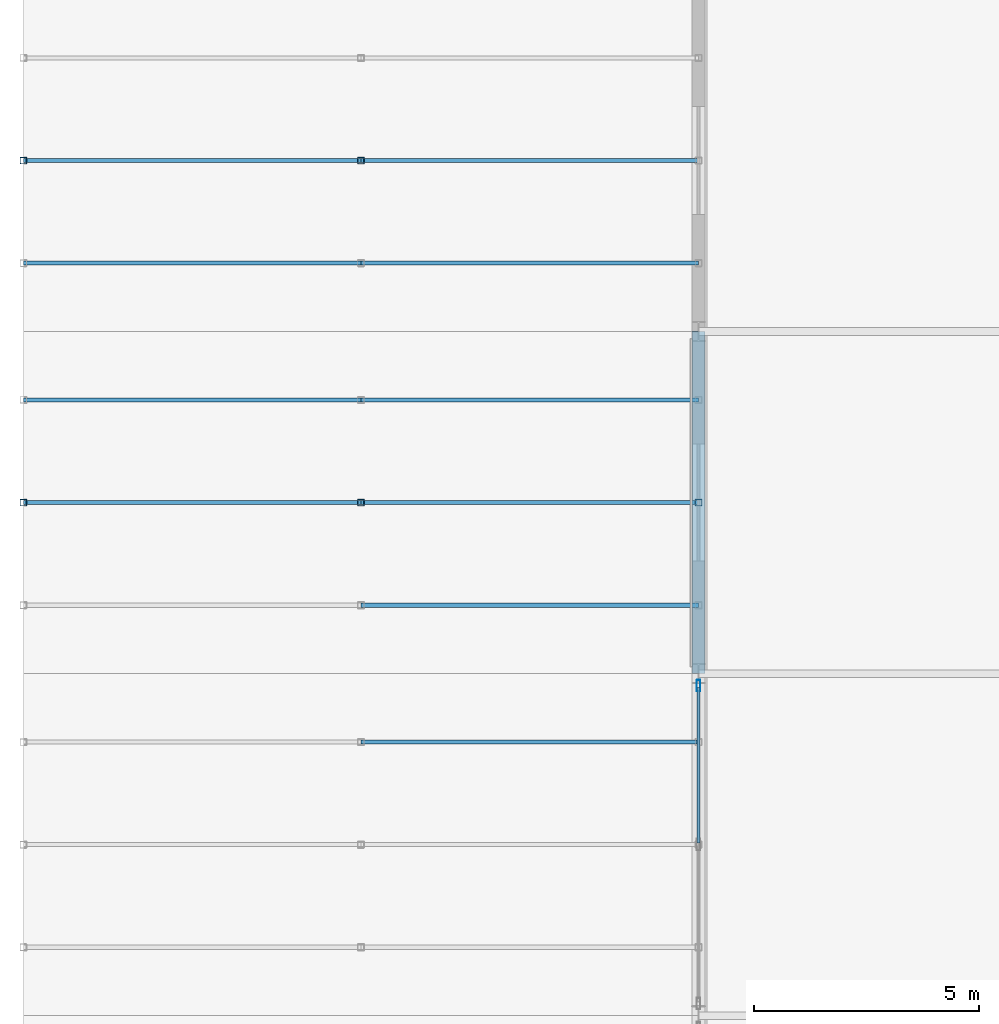
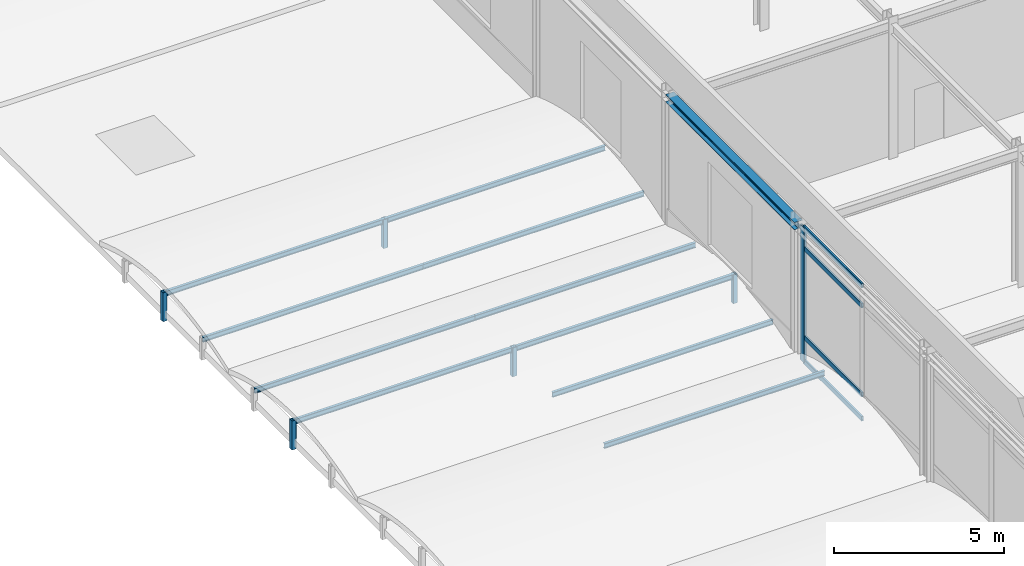
# One storey, part 22 of 113: 20 members, 1 beam, 1 element without a shape of its own.
"""IFC4 building model written with IfcOpenShell, lengths in metres."""

from ifc_helpers import new_model, si_unit, direction, frame, origin, origin_2d, place, context, subcontext, project, spatial, hollow_rectangle, i_section, extrude, material, layer, layer_set, material_profile, profile_set, type_object, element, aggregate, save


model = new_model("IFC4")

# Units and contexts
model_context = context("Model", 3, precision=1e-05, world=origin(), true_north=direction((0.0, 1.0)))
body_context = subcontext(model_context, "Body", "Model", "MODEL_VIEW")
ifc_project = project(units=[si_unit("LENGTHUNIT", "METRE"), si_unit("AREAUNIT", "SQUARE_METRE"), si_unit("VOLUMEUNIT", "CUBIC_METRE"), si_unit("PLANEANGLEUNIT", "RADIAN"), si_unit("MASSUNIT", "GRAM", prefix="KILO")], contexts=[model_context])

# Site, building, storey
site_placement = place(None, origin())
site = spatial("IfcSite", under=ifc_project, at=site_placement, CompositionType="ELEMENT")
building_placement = place(site_placement, origin())
building = spatial("IfcBuilding", under=site, at=building_placement, Name="Shalkamar Park Central Library", CompositionType="ELEMENT")
storey_placement = place(building_placement, frame((0.0, 0.0, 5.39990234375)))
storey = spatial("IfcBuildingStorey", under=building, at=storey_placement, Name="L02", CompositionType="ELEMENT", Elevation=5.39990234375)

# Curtain wall, members
ifc_material_1 = material(Name="Thermally broken aluminium and triple low-e curtain wall", Category="aluminium")
ifc_layer = layer(ifc_material_1, 0.2548828125)
ifc_layer_set = layer_set([ifc_layer], Name="UnitisedCurtainWall_36")
curtain_wall_type = type_object("IfcCurtainWallType", Name="Unitised Curtain Wall 36", PredefinedType="USERDEFINED", material=ifc_layer_set)
curtain_wall_placement = place(storey_placement, origin())
curtain_wall = element("IfcCurtainWall", 1, at=curtain_wall_placement, inside=storey, type_object=curtain_wall_type, Name="Unitised Curtain Wall CW-L02-041", ObjectType="UNITISED CURTAIN WALL", PredefinedType="USERDEFINED")
ifc_material_2 = material(Name="Aluminium 6060-T66", Category="aluminium")
ifc_material_profile_1 = material_profile(ifc_material_2, hollow_rectangle(XDim=0.080078125, YDim=0.2548828125, WallThickness=0.00439453125, InnerFilletRadius=0.00439453125, OuterFilletRadius=0.0068359375, at=origin_2d()), Name="ALU 80x255x4.5")
ifc_profile_set_1 = profile_set([ifc_material_profile_1], Name="Aluminium 6060-T66")
member_type_1 = type_object("IfcMemberType", Name="Curtain Wall Mullion ALU80x255", PredefinedType="MULLION", material=ifc_profile_set_1)
member_1_placement = place(storey_placement, frame((135.0, 292.930908203125, 0.0), z_axis=(0.0, 0.0, 1.0), x_axis=(-1.0, 0.0, 0.0)))
member_1 = element("IfcMember", 2, at=member_1_placement, type_object=member_type_1, Name="CW-36 mullion 3", PredefinedType="MULLION", context=body_context, shape_type="SweptSolid", body=[
    extrude(hollow_rectangle(XDim=0.080078125, YDim=0.2548828125, WallThickness=0.00439453125, InnerFilletRadius=0.00439453125, OuterFilletRadius=0.0068359375, at=origin_2d()), origin(), (0.0, 0.0, 1.0), 4.85009765625),
])
ifc_material_profile_2 = material_profile(ifc_material_2, hollow_rectangle(XDim=0.06494140625, YDim=0.169921875, WallThickness=0.00390625, InnerFilletRadius=0.00390625, OuterFilletRadius=0.006103515625, at=origin_2d()), Name="ALU 65x170x4")
ifc_profile_set_2 = profile_set([ifc_material_profile_2], Name="Aluminium 6060-T66")
member_type_2 = type_object("IfcMemberType", Name="Curtain Wall Transom ALU65x170", PredefinedType="USERDEFINED", material=ifc_profile_set_2)
member_2_placement = place(storey_placement, frame((135.0, 289.43994140625, 0.03271484375), z_axis=(0.0, 1.0, 0.0), x_axis=(-1.0, 0.0, 0.0)))
member_2 = element("IfcMember", 3, at=member_2_placement, type_object=member_type_2, Name="CW-36 transom 2.1", ObjectType="TRANSOM", PredefinedType="USERDEFINED", context=body_context, shape_type="SweptSolid", body=[
    extrude(hollow_rectangle(XDim=0.06494140625, YDim=0.169921875, WallThickness=0.00390625, InnerFilletRadius=0.00390625, OuterFilletRadius=0.006103515625, at=origin_2d()), origin(), (0.0, 0.0, 1.0), 3.451171875),
])
member_3_placement = place(storey_placement, frame((135.0, 289.43994140625, 0.900146484375), z_axis=(0.0, 1.0, 0.0), x_axis=(-1.0, 0.0, 0.0)))
member_3 = element("IfcMember", 4, at=member_3_placement, type_object=member_type_2, Name="CW-36 transom 2.2", ObjectType="TRANSOM", PredefinedType="USERDEFINED", context=body_context, shape_type="SweptSolid", body=[
    extrude(hollow_rectangle(XDim=0.06494140625, YDim=0.169921875, WallThickness=0.00390625, InnerFilletRadius=0.00390625, OuterFilletRadius=0.006103515625, at=origin_2d()), origin(), (0.0, 0.0, 1.0), 3.451171875),
])
member_4_placement = place(storey_placement, frame((135.0, 289.43994140625, 4.10009765625), z_axis=(0.0, 1.0, 0.0), x_axis=(-1.0, 0.0, 0.0)))
member_4 = element("IfcMember", 5, at=member_4_placement, type_object=member_type_2, Name="CW-36 transom 2.3", ObjectType="TRANSOM", PredefinedType="USERDEFINED", context=body_context, shape_type="SweptSolid", body=[
    extrude(hollow_rectangle(XDim=0.06494140625, YDim=0.169921875, WallThickness=0.00390625, InnerFilletRadius=0.00390625, OuterFilletRadius=0.006103515625, at=origin_2d()), origin(), (0.0, 0.0, 1.0), 3.451171875),
])
member_5_placement = place(storey_placement, frame((135.0, 289.43994140625, 4.817626953125), z_axis=(0.0, 1.0, 0.0), x_axis=(-1.0, 0.0, 0.0)))
member_5 = element("IfcMember", 6, at=member_5_placement, type_object=member_type_2, Name="CW-36 transom 2.4", ObjectType="TRANSOM", PredefinedType="USERDEFINED", context=body_context, shape_type="SweptSolid", body=[
    extrude(hollow_rectangle(XDim=0.06494140625, YDim=0.169921875, WallThickness=0.00390625, InnerFilletRadius=0.00390625, OuterFilletRadius=0.006103515625, at=origin_2d()), origin(), (0.0, 0.0, 1.0), 3.451171875),
])
aggregate(curtain_wall, [member_1, member_2, member_3, member_4, member_5])

# Members
ifc_material_3 = material(Name="Steel S355", Category="steel")
ifc_material_profile_3 = material_profile(ifc_material_3, hollow_rectangle(XDim=0.14990234375, YDim=0.14990234375, WallThickness=0.008056640625, InnerFilletRadius=0.008056640625, OuterFilletRadius=0.011962890625, at=origin_2d()), Name="SHS 150x150x8")
ifc_profile_set_3 = profile_set([ifc_material_profile_3], Name="Steel S355")
member_type_3 = type_object("IfcMemberType", Name="Diagonal Brace SHS150", PredefinedType="BRACE", material=ifc_profile_set_3)
for number, where, z_axis, x_axis, name in (
    (7, (120.0, 297.0, -0.35986328125), (0.0, 0.0, 1.0), (1.0, 0.0, 0.0), "Vault Arch Post BV-L01-W6-01.2"),
    (8, (127.5, 297.0, -0.35986328125), (0.0, 0.0, 1.0), (1.0, 0.0, 0.0), "Vault Arch Post BV-L01-W6-02.2"),
    (9, (135.0, 297.0, -0.35986328125), (0.0, 0.0, 1.0), (1.0, 0.0, 0.0), "Vault Arch Post BV-L01-W6-03.2"),
    (10, (120.0, 304.60009765625, -0.35986328125), (0.0, 0.0, 1.0), (1.0, 0.0, 0.0), "Vault Arch Post BV-L01-W7-01.2"),
    (11, (127.5, 304.60009765625, -0.35986328125), (0.0, 0.0, 1.0), (1.0, 0.0, 0.0), "Vault Arch Post BV-L01-W7-02.2"),
):
    element("IfcMember", number, at=place(storey_placement, frame(where, z_axis=z_axis, x_axis=x_axis)), inside=storey, type_object=member_type_3, Name=name, PredefinedType="BRACE", context=body_context, shape_type="SweptSolid", body=[
        extrude(hollow_rectangle(XDim=0.14990234375, YDim=0.14990234375, WallThickness=0.008056640625, InnerFilletRadius=0.008056640625, OuterFilletRadius=0.011962890625, at=origin_2d()), origin(), (0.0, 0.0, 1.0), 1.0400390625),
    ])

# Beam
ifc_material_profile_4 = material_profile(ifc_material_3, i_section(OverallWidth=0.280029296875, OverallDepth=0.27001953125, WebThickness=0.008056640625, FlangeThickness=0.012939453125, FilletRadius=0.02392578125, at=origin_2d()), Name="HEA 280")
ifc_profile_set_4 = profile_set([ifc_material_profile_4], Name="Steel S355")
beam_type = type_object("IfcBeamType", Name="Perimeter Spandrel Beam HEA280", PredefinedType="SPANDREL", material=ifc_profile_set_4)
beam_placement = place(storey_placement, frame((135.0, 293.199951171875, 4.715087890625), z_axis=(0.0, 1.0, 0.0), x_axis=(-1.0, 0.0, 0.0)))
element("IfcBeam", 12, at=beam_placement, inside=storey, type_object=beam_type, Name="Beam 03:H-J (L02)", PredefinedType="SPANDREL", context=body_context, shape_type="SweptSolid", body=[
    extrude(i_section(OverallWidth=0.280029296875, OverallDepth=0.27001953125, WebThickness=0.008056640625, FlangeThickness=0.012939453125, FilletRadius=0.02392578125, at=origin_2d()), origin(), (0.0, 0.0, 1.0), 7.60009765625),
])

# Members
ifc_material_profile_5 = material_profile(ifc_material_3, i_section(OverallWidth=0.091064453125, OverallDepth=0.179931640625, WebThickness=0.00537109375, FlangeThickness=0.008056640625, FilletRadius=0.009033203125, at=origin_2d()), Name="IPE 180")
ifc_profile_set_5 = profile_set([ifc_material_profile_5], Name="Steel S355")
member_type_4 = type_object("IfcMemberType", Name="Roof Purlin IPE180", PredefinedType="PURLIN", material=ifc_profile_set_5)
for number, where, z_axis, x_axis, name in (
    (13, (127.5, 291.679931640625, 0.330810546875), (1.0, 0.0, 0.0), (0.0, 1.0, 0.0), "Barrel Roof Purlin BV-L01-W5-3.02"),
    (14, (127.5, 294.719970703125, 0.330810546875), (1.0, 0.0, 0.0), (0.0, 1.0, 0.0), "Barrel Roof Purlin BV-L01-W6-1.02"),
    (15, (120.0, 297.0, 0.590087890625), (1.0, 0.0, 0.0), (0.0, 1.0, 0.0), "Barrel Roof Purlin BV-L01-W6-2.01"),
    (16, (127.5, 297.0, 0.590087890625), (1.0, 0.0, 0.0), (0.0, 1.0, 0.0), "Barrel Roof Purlin BV-L01-W6-2.02"),
    (17, (120.0, 299.280029296875, 0.330810546875), (1.0, 0.0, 0.0), (0.0, 1.0, 0.0), "Barrel Roof Purlin BV-L01-W6-3.01"),
    (18, (127.5, 299.280029296875, 0.330810546875), (1.0, 0.0, 0.0), (0.0, 1.0, 0.0), "Barrel Roof Purlin BV-L01-W6-3.02"),
    (19, (120.0, 302.320068359375, 0.330810546875), (1.0, 0.0, 0.0), (0.0, 1.0, 0.0), "Barrel Roof Purlin BV-L01-W7-1.01"),
    (20, (127.5, 302.320068359375, 0.330810546875), (1.0, 0.0, 0.0), (0.0, 1.0, 0.0), "Barrel Roof Purlin BV-L01-W7-1.02"),
    (21, (120.0, 304.60009765625, 0.590087890625), (1.0, 0.0, 0.0), (0.0, 1.0, 0.0), "Barrel Roof Purlin BV-L01-W7-2.01"),
    (22, (127.5, 304.60009765625, 0.590087890625), (1.0, 0.0, 0.0), (0.0, 1.0, 0.0), "Barrel Roof Purlin BV-L01-W7-2.02"),
):
    element("IfcMember", number, at=place(storey_placement, frame(where, z_axis=z_axis, x_axis=x_axis)), inside=storey, type_object=member_type_4, Name=name, PredefinedType="PURLIN", context=body_context, shape_type="SweptSolid", body=[
        extrude(i_section(OverallWidth=0.091064453125, OverallDepth=0.179931640625, WebThickness=0.00537109375, FlangeThickness=0.008056640625, FilletRadius=0.009033203125, at=origin_2d()), origin(), (0.0, 0.0, 1.0), 7.5),
    ])

save(model, "model.ifc")
